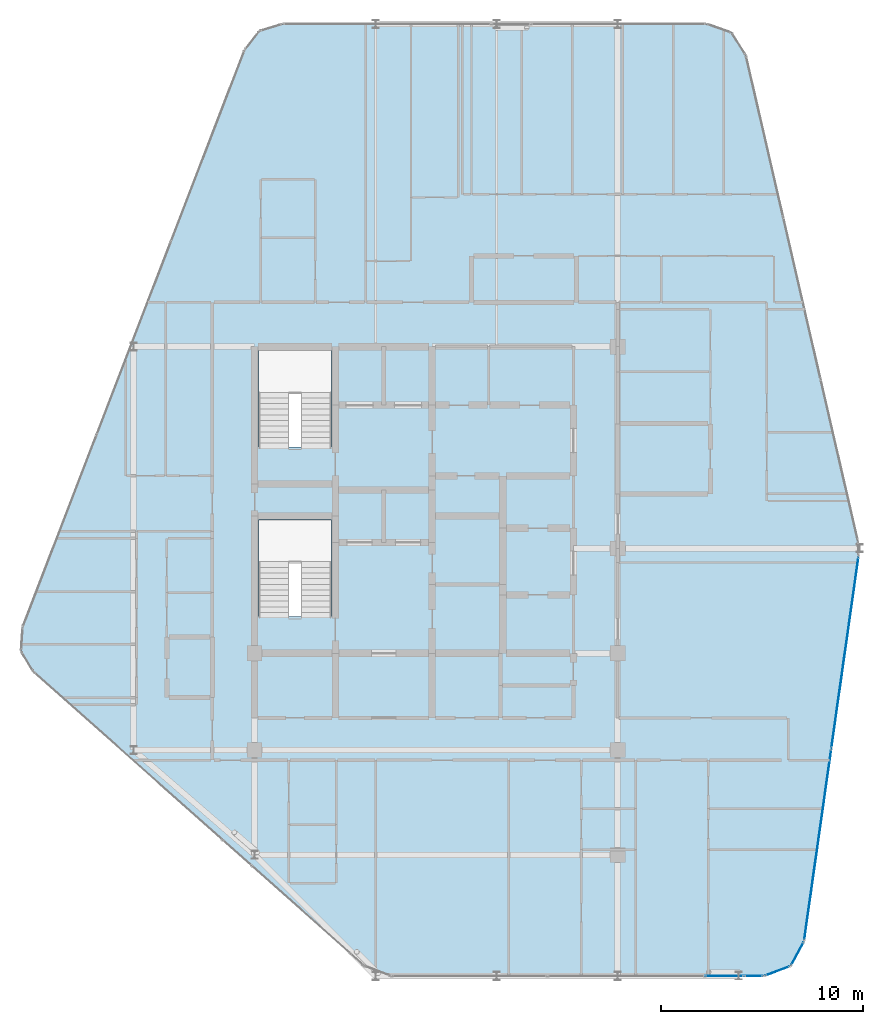
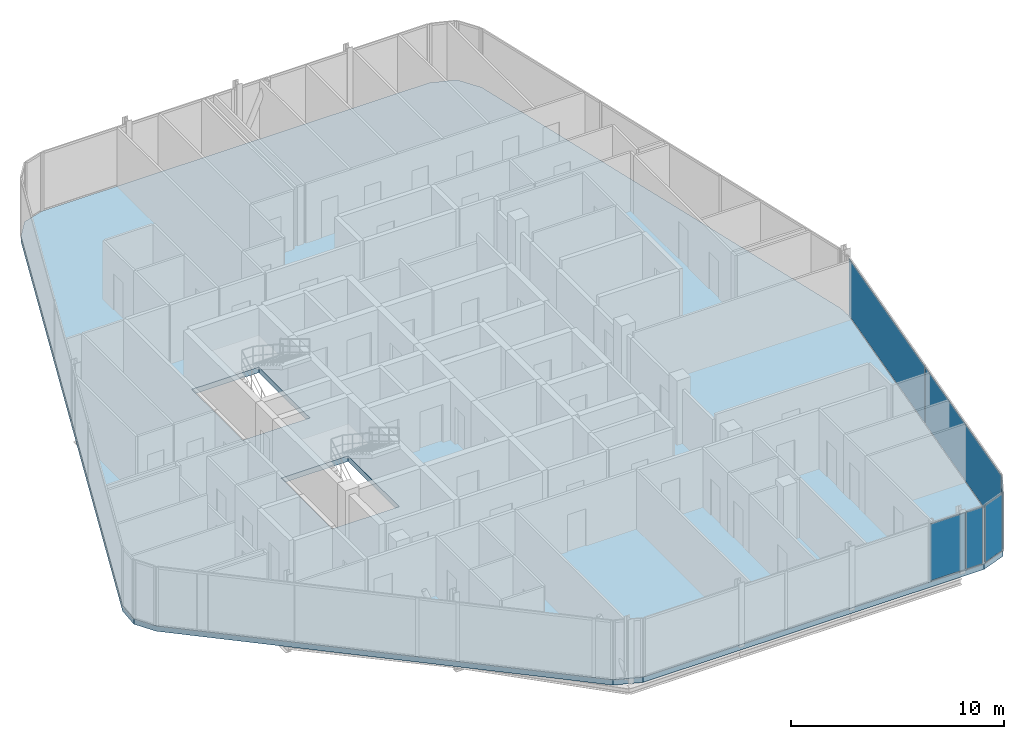
# One storey, part 23 of 31: 6 plates, 1 slab, 5 elements without a shape of their own.
"""IFC4 building model written with IfcOpenShell, lengths in metres."""

import ifcopenshell
import ifcopenshell.guid

model = None  # the IFC model being written
_history = None  # IfcOwnerHistory: only IFC2X3 demands one
_inside = {}  # id of a spatial element -> (the spatial element, [elements in it])
_under = {}  # id of a project, library or spatial element -> (it, [spatial elements below it])
_declared = {}  # id of a project -> (the project, [libraries it declares])
_typed = {}  # id of a type object -> (the type object, [elements of that type])
_made_of = {}  # id of a material, layer set ... -> (it, [elements and type objects made of it])


def new_model(schema):
    """Start an empty IFC model of exactly this schema.

    Asked for "IFC4X3", IfcOpenShell would pick the latest addendum, in which some entities
    have other attributes; the version numbers below select the first issue.
    IFC2X3 requires an IfcOwnerHistory on every rooted entity: one is made here for all.
    """
    global model, _history
    if schema == "IFC4X3":
        model = ifcopenshell.file(schema_version=(4, 3, 0, 0))
    else:
        model = ifcopenshell.file(schema=schema)
    _inside.clear()
    _under.clear()
    _declared.clear()
    _typed.clear()
    _made_of.clear()
    _history = None
    if model.schema == "IFC2X3":
        org = make("IfcOrganization", Name="unknown")
        user = make(
            "IfcPersonAndOrganization",
            ThePerson=make("IfcPerson", FamilyName="unknown"),
            TheOrganization=org,
        )
        app = make(
            "IfcApplication",
            ApplicationDeveloper=org,
            Version="unknown",
            ApplicationFullName="unknown",
            ApplicationIdentifier="unknown",
        )
        _history = make(
            "IfcOwnerHistory",
            OwningUser=user,
            OwningApplication=app,
            ChangeAction="ADDED",
            CreationDate=0,
        )
    return model


def make(cls, **values):
    """One entity of the class cls with the attributes given. An attribute that is None is left unset."""
    return model.create_entity(
        cls, **{name: value for name, value in values.items() if value is not None}
    )


def rooted(cls, **values):
    """An entity with a GlobalId (a new one), such as an element, a storey or a relation."""
    return make(cls, GlobalId=ifcopenshell.guid.new(), OwnerHistory=_history, **values)


def si_unit(unit_type, name, prefix=None):
    """IfcSIUnit, for example si_unit("LENGTHUNIT", "METRE", prefix="MILLI")."""
    return make("IfcSIUnit", UnitType=unit_type, Prefix=prefix, Name=name)


def assignment(units):
    """IfcUnitAssignment: the units of a project."""
    return None if units is None else make("IfcUnitAssignment", Units=units)


def point(xyz):
    """IfcCartesianPoint."""
    return None if xyz is None else make("IfcCartesianPoint", Coordinates=xyz)


def direction(xyz):
    """IfcDirection."""
    return None if xyz is None else make("IfcDirection", DirectionRatios=xyz)


def frame(location, z_axis=None, x_axis=None):
    """IfcAxis2Placement3D, a coordinate frame: its origin and axes. An axis left out is left unset."""
    return make(
        "IfcAxis2Placement3D",
        Location=point(location),
        Axis=direction(z_axis),
        RefDirection=direction(x_axis),
    )


def frame_2d(location, x_axis=None):
    """IfcAxis2Placement2D, a coordinate frame in the plane: its origin and x axis."""
    return make(
        "IfcAxis2Placement2D", Location=point(location), RefDirection=direction(x_axis)
    )


def origin():
    """The frame at (0, 0, 0) with its axes left unset."""
    return frame((0.0, 0.0, 0.0))


def origin_2d():
    """The frame at (0, 0) in the plane with its x axis left unset."""
    return frame_2d((0.0, 0.0))


def place(relative_to, where):
    """IfcLocalPlacement: puts the frame where relative to a parent placement (None: the world)."""
    return make(
        "IfcLocalPlacement", PlacementRelTo=relative_to, RelativePlacement=where
    )


def context(
    kind, dimensions, precision=None, world=None, true_north=None, identifier=None
):
    """IfcGeometricRepresentationContext, for example the 3D "Model" context."""
    return make(
        "IfcGeometricRepresentationContext",
        ContextIdentifier=identifier,
        ContextType=kind,
        CoordinateSpaceDimension=dimensions,
        Precision=precision,
        WorldCoordinateSystem=world,
        TrueNorth=true_north,
    )


def subcontext(parent, identifier, kind, view, scale=None):
    """IfcGeometricRepresentationSubContext, for example "Body" below "Model"."""
    return make(
        "IfcGeometricRepresentationSubContext",
        ContextIdentifier=identifier,
        ContextType=kind,
        ParentContext=parent,
        TargetScale=scale,
        TargetView=view,
    )


def project(units=None, contexts=None):
    """IfcProject with its units and contexts."""
    return rooted(
        "IfcProject",
        Name="project",
        RepresentationContexts=contexts,
        UnitsInContext=assignment(units),
    )


def spatial(cls, under=None, at=None, **own):
    """A site, building, storey or space (cls), placed at a placement, below another one or the project."""
    s = rooted(cls, ObjectPlacement=at, **own)
    if under is not None:
        _under.setdefault(under.id(), (under, []))[1].append(s)
    return s


def polyline(points):
    """IfcPolyline through the points."""
    return make("IfcPolyline", Points=[point(p) for p in points])


def profile(cls, at=None, kind="AREA", **sizes):
    """A parametric profile (cls). Its sizes go by their IFC names, for example OverallWidth=200.0."""
    return make(cls, ProfileType=kind, Position=at, **sizes)


def rectangle(**sizes):
    """IfcRectangleProfileDef."""
    return profile("IfcRectangleProfileDef", **sizes)


def outline(outer, holes=None, kind="AREA"):
    """IfcArbitraryClosedProfileDef: a profile drawn as a closed curve; with holes, ...WithVoids."""
    if holes is None:
        return make("IfcArbitraryClosedProfileDef", ProfileType=kind, OuterCurve=outer)
    return make(
        "IfcArbitraryProfileDefWithVoids",
        ProfileType=kind,
        OuterCurve=outer,
        InnerCurves=holes,
    )


def extrude(swept, where, along, depth):
    """IfcExtrudedAreaSolid: the profile swept, set in the frame where, extruded along a direction by depth."""
    return make(
        "IfcExtrudedAreaSolid",
        SweptArea=swept,
        Position=where,
        ExtrudedDirection=direction(along),
        Depth=depth,
    )


def shape(context_of_items, identifier, shape_type, items):
    """IfcShapeRepresentation: the items that make up one representation, for example the "Body"."""
    return make(
        "IfcShapeRepresentation",
        ContextOfItems=context_of_items,
        RepresentationIdentifier=identifier,
        RepresentationType=shape_type,
        Items=items,
    )


def material(Name=None, Category=None):
    """IfcMaterial."""
    return make("IfcMaterial", Name=Name, Category=Category)


def layer(
    of_material, thickness, ventilated=None, Name=None, Category=None, Priority=None
):
    """IfcMaterialLayer: one layer of a wall or slab, of a material (None: an air gap)."""
    return make(
        "IfcMaterialLayer",
        Material=of_material,
        LayerThickness=thickness,
        IsVentilated=ventilated,
        Name=Name,
        Category=Category,
        Priority=Priority,
    )


def layer_set(layers, Name=None):
    """IfcMaterialLayerSet."""
    return make("IfcMaterialLayerSet", MaterialLayers=layers, LayerSetName=Name)


def made_of(thing, what):
    """Note that an element or type object is made of a material, layer set ...; save() writes the relation."""
    if what is not None:
        _made_of.setdefault(what.id(), (what, []))[1].append(thing)
    return thing


def type_object(cls, material=None, **own):
    """A type object (cls), such as IfcWallType, which elements share."""
    return made_of(rooted(cls, **own), material)


def element(
    cls,
    number,
    at=None,
    inside=None,
    cuts=None,
    type_object=None,
    material=None,
    context=None,
    identifier="Body",
    shape_type=None,
    held_by="IfcProductDefinitionShape",
    body=None,
    shapes=None,
    **own,
):
    """One element of the class cls, such as IfcWall. Its Tag is "e" and its number.

    at: its placement. inside: the storey or other place that contains it. cuts: it is an
    opening in that element (IfcRelVoidsElement). A single representation is given by context,
    identifier, shape_type and body (its items); several are given by shapes. held_by: the class
    of the entity that holds the representations. save() writes the other relations.
    """
    e = rooted(cls, Tag="e%d" % number, ObjectPlacement=at, **own)
    if body is not None:
        shapes = [shape(context, identifier, shape_type, body)]
    if shapes is not None:
        e.Representation = make(held_by, Representations=shapes)
    if inside is not None:
        _inside.setdefault(inside.id(), (inside, []))[1].append(e)
    if cuts is not None:
        rooted(
            "IfcRelVoidsElement", RelatingBuildingElement=cuts, RelatedOpeningElement=e
        )
    if type_object is not None:
        _typed.setdefault(type_object.id(), (type_object, []))[1].append(e)
    return made_of(e, material)


def aggregate(whole, parts):
    """IfcRelAggregates: a whole, such as a stair, and the parts it consists of."""
    return rooted("IfcRelAggregates", RelatingObject=whole, RelatedObjects=parts)


def save(model, path):
    """Write the relations noted so far, then the file.

    IfcRelAggregates (storeys below a building ...), IfcRelContainedInSpatialStructure (elements
    in a storey), IfcRelDefinesByType, IfcRelAssociatesMaterial and IfcRelDeclares: one each for
    every whole, place, type object, material and project.
    """
    for whole, parts in _under.values():
        aggregate(whole, parts)
    for where, things in _inside.values():
        rooted(
            "IfcRelContainedInSpatialStructure",
            RelatedElements=things,
            RelatingStructure=where,
        )
    for kind, things in _typed.values():
        rooted("IfcRelDefinesByType", RelatedObjects=things, RelatingType=kind)
    for what, things in _made_of.values():
        rooted("IfcRelAssociatesMaterial", RelatedObjects=things, RelatingMaterial=what)
    for by, libraries in _declared.values():
        rooted("IfcRelDeclares", RelatingContext=by, RelatedDefinitions=libraries)
    model.write(path)


model = new_model("IFC4")

# Units and contexts
model_context = context("Model", 3, precision=1e-05, world=origin(), true_north=direction((0.0, 1.0)))
body_context = subcontext(model_context, "Body", "Model", "MODEL_VIEW")
ifc_project = project(units=[si_unit("LENGTHUNIT", "METRE"), si_unit("AREAUNIT", "SQUARE_METRE"), si_unit("VOLUMEUNIT", "CUBIC_METRE"), si_unit("PLANEANGLEUNIT", "RADIAN"), si_unit("MASSUNIT", "GRAM", prefix="KILO")], contexts=[model_context])

# Site, building, storey
site_placement = place(None, origin())
site = spatial("IfcSite", under=ifc_project, at=site_placement, CompositionType="ELEMENT")
building_placement = place(site_placement, origin())
building = spatial("IfcBuilding", under=site, at=building_placement, Name="Keshet Zoharim Tower", CompositionType="ELEMENT")
storey_placement = place(building_placement, frame((0.0, 0.0, 276.89990234375)))
storey = spatial("IfcBuildingStorey", under=building, at=storey_placement, Name="L69", CompositionType="ELEMENT", Elevation=276.89990234375)

# Curtain wall, plates
ifc_material_1 = material(Name="Aluminium 6063-T6", Category="aluminium")
ifc_layer_1 = layer(ifc_material_1, 0.260009765625)
ifc_layer_set_1 = layer_set([ifc_layer_1], Name="Aluminium 6063-T6")
curtain_wall_type = type_object("IfcCurtainWallType", Name="CW-SYS-06", PredefinedType="NOTDEFINED", material=ifc_layer_set_1)
curtain_wall_1_placement = place(storey_placement, origin())
curtain_wall_1 = element("IfcCurtainWall", 1, at=curtain_wall_1_placement, inside=storey, type_object=curtain_wall_type, Name="L69 Unitised Curtain Wall 11", PredefinedType="NOTDEFINED")
ifc_material_2 = material(Name="Insulated Low-E Clear Glass", Category="glass")
ifc_layer_2 = layer(ifc_material_2, 0.028076171875)
ifc_layer_set_2 = layer_set([ifc_layer_2], Name="Insulated Low-E Clear Glass")
plate_type_1 = type_object("IfcPlateType", Name="CWP-03", PredefinedType="CURTAIN_PANEL", material=ifc_layer_set_2)
plate_1_placement = place(storey_placement, frame((44.269287109375, 22.736572265625, 0.070068359375), z_axis=(0.0, 0.0, 1.0), x_axis=(-0.140137464177, -0.990132057422, 0.0)))
plate_1 = element("IfcPlate", 2, at=plate_1_placement, type_object=plate_type_1, Name="CW-06 panel 1.1", PredefinedType="CURTAIN_PANEL", context=body_context, shape_type="SweptSolid", body=[
    extrude(rectangle(XDim=9.546142578125, YDim=0.028076171875, at=origin_2d()), origin(), (0.0, 0.0, 1.0), 3.25),
])
plate_2_placement = place(storey_placement, frame((42.921630859375, 13.21533203125, 0.070068359375), z_axis=(0.0, 0.0, 1.0), x_axis=(-0.140137464177, -0.990132057422, 0.0)))
plate_2 = element("IfcPlate", 3, at=plate_2_placement, type_object=plate_type_1, Name="CW-06 panel 2.1", PredefinedType="CURTAIN_PANEL", context=body_context, shape_type="SweptSolid", body=[
    extrude(rectangle(XDim=9.546142578125, YDim=0.028076171875, at=origin_2d()), origin(), (0.0, 0.0, 1.0), 3.25),
])
aggregate(curtain_wall_1, [plate_1, plate_2])

# Curtain wall, plate
curtain_wall_2_placement = place(storey_placement, origin())
curtain_wall_2 = element("IfcCurtainWall", 4, at=curtain_wall_2_placement, inside=storey, type_object=curtain_wall_type, Name="L69 Unitised Curtain Wall 12", PredefinedType="NOTDEFINED")
plate_3_placement = place(storey_placement, frame((41.908447265625, 7.804931640625, 0.070068359375), z_axis=(0.0, 0.0, 1.0), x_axis=(-0.477800955789, -0.878468125004, 0.0)))
plate_3 = element("IfcPlate", 5, at=plate_3_placement, type_object=plate_type_1, Name="CW-06 panel 1.1", PredefinedType="CURTAIN_PANEL", context=body_context, shape_type="SweptSolid", body=[
    extrude(rectangle(XDim=1.26025390625, YDim=0.028076171875, at=origin_2d()), origin(), (0.0, 0.0, 1.0), 3.25),
])
aggregate(curtain_wall_2, [plate_3])

curtain_wall_3_placement = place(storey_placement, origin())
curtain_wall_3 = element("IfcCurtainWall", 6, at=curtain_wall_3_placement, inside=storey, type_object=curtain_wall_type, Name="L69 Unitised Curtain Wall 13", PredefinedType="NOTDEFINED")
plate_4_placement = place(storey_placement, frame((40.91845703125, 6.945068359375, 0.070068359375), z_axis=(0.0, 0.0, 1.0), x_axis=(-0.936710343781, -0.350105315376, 0.0)))
plate_4 = element("IfcPlate", 7, at=plate_4_placement, type_object=plate_type_1, Name="CW-06 panel 1.1", PredefinedType="CURTAIN_PANEL", context=body_context, shape_type="SweptSolid", body=[
    extrude(rectangle(XDim=1.259521484375, YDim=0.028076171875, at=origin_2d()), origin(), (0.0, 0.0, 1.0), 3.25),
])
aggregate(curtain_wall_3, [plate_4])

curtain_wall_4_placement = place(storey_placement, origin())
curtain_wall_4 = element("IfcCurtainWall", 8, at=curtain_wall_4_placement, inside=storey, type_object=curtain_wall_type, Name="L69 Unitised Curtain Wall 14", PredefinedType="NOTDEFINED")
plate_5_placement = place(storey_placement, frame((39.743896484375, 6.699951171875, 0.070068359375), z_axis=(0.0, 0.0, 1.0), x_axis=(-1.0, 0.0, 0.0)))
plate_5 = element("IfcPlate", 9, at=plate_5_placement, type_object=plate_type_1, Name="CW-06 panel 1.1", PredefinedType="CURTAIN_PANEL", context=body_context, shape_type="SweptSolid", body=[
    extrude(rectangle(XDim=0.898193359375, YDim=0.028076171875, at=origin_2d()), origin(), (0.0, 0.0, 1.0), 3.25),
])
aggregate(curtain_wall_4, [plate_5])

curtain_wall_5_placement = place(storey_placement, origin())
curtain_wall_5 = element("IfcCurtainWall", 10, at=curtain_wall_5_placement, inside=storey, type_object=curtain_wall_type, Name="L69 Unitised Curtain Wall 14 Part 2", PredefinedType="NOTDEFINED")
ifc_material_3 = material(Name="Insulated Aluminium Spandrel Panel", Category="aluminium")
ifc_layer_3 = layer(ifc_material_3, 0.028076171875)
ifc_layer_set_3 = layer_set([ifc_layer_3], Name="Insulated Aluminium Spandrel Panel")
plate_type_2 = type_object("IfcPlateType", Name="CWP-06", PredefinedType="CURTAIN_PANEL", material=ifc_layer_set_3)
plate_6_placement = place(storey_placement, frame((38.284912109375, 6.699951171875, 0.070068359375), z_axis=(0.0, 0.0, 1.0), x_axis=(-1.0, 0.0, 0.0)))
plate_6 = element("IfcPlate", 11, at=plate_6_placement, type_object=plate_type_2, Name="CW-06 spandrel panel 1.1", PredefinedType="CURTAIN_PANEL", context=body_context, shape_type="SweptSolid", body=[
    extrude(rectangle(XDim=1.879638671875, YDim=0.028076171875, at=origin_2d()), origin(), (0.0, 0.0, 1.0), 3.25),
])
aggregate(curtain_wall_5, [plate_6])

# Slab
ifc_material_4 = material(Name="Concrete C50/60", Category="concrete")
ifc_layer_4 = layer(ifc_material_4, 0.31005859375)
ifc_layer_set_4 = layer_set([ifc_layer_4], Name="Concrete C50/60")
slab_type = type_object("IfcSlabType", Name="SLB-UPP-240", PredefinedType="FLOOR", material=ifc_layer_set_4)
slab_placement = place(storey_placement, frame((0.0, 0.0, -0.309814453125)))
element("IfcSlab", 12, at=slab_placement, inside=storey, type_object=slab_type, Name="L69 Structural Floor Slab 1", PredefinedType="FLOOR", context=body_context, shape_type="SweptSolid", body=[
    extrude(outline(polyline([(4.034912109375, 21.780029296875), (3.419921875, 22.802001953125), (3.4970703125, 23.992919921875), (14.507080078125, 52.617919921875), (15.240966796875, 53.549072265625), (16.3740234375, 53.89990234375), (37.408935546875, 53.89990234375), (38.654052734375, 53.465087890625), (39.35791015625, 52.35009765625), (44.916015625, 28.261962890625), (44.947998046875, 27.531982421875), (42.242919921875, 8.419921875), (41.573974609375, 7.18994140625), (40.262939453125, 6.699951171875), (21.760009765625, 6.699951171875), (20.431884765625, 7.205078125), (4.034912109375, 21.780029296875)]), holes=[polyline([(15.179931640625, 24.52001953125), (18.820068359375, 24.52001953125), (18.820068359375, 29.320068359375), (15.179931640625, 29.320068359375), (15.179931640625, 24.52001953125)]), polyline([(15.179931640625, 32.919921875), (18.820068359375, 32.919921875), (18.820068359375, 37.719970703125), (15.179931640625, 37.719970703125), (15.179931640625, 32.919921875)])]), origin(), (0.0, 0.0, 1.0), 0.309814453125),
])

save(model, "model.ifc")
